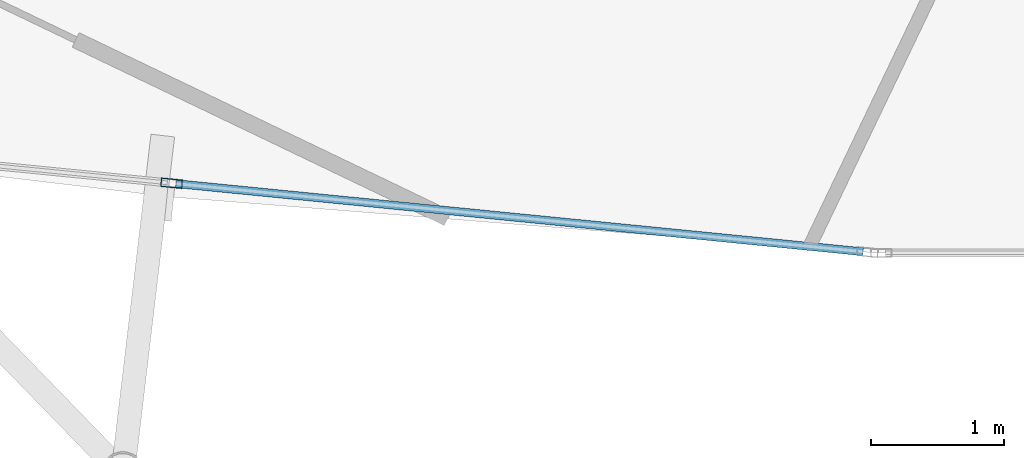
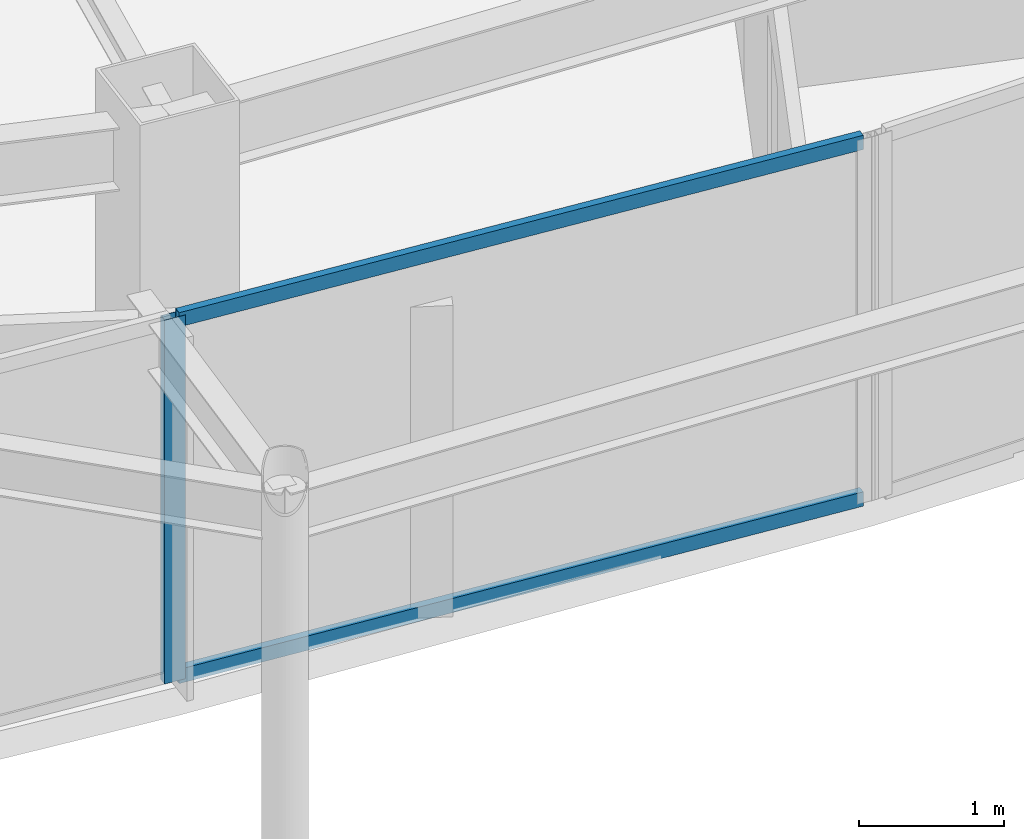
# One storey, part 4 of 33: 3 members, 1 element without a shape of its own.
"""IFC4 building model written with IfcOpenShell, lengths in metres."""

from ifc_helpers import new_model, si_unit, direction, frame, origin, origin_2d, place, context, subcontext, project, spatial, hollow_rectangle, extrude, material, layer, layer_set, material_profile, profile_set, type_object, element, aggregate, save


model = new_model("IFC4")

# Units and contexts
model_context = context("Model", 3, precision=1e-05, world=origin(), true_north=direction((0.0, 1.0)))
body_context = subcontext(model_context, "Body", "Model", "MODEL_VIEW")
ifc_project = project(units=[si_unit("LENGTHUNIT", "METRE"), si_unit("AREAUNIT", "SQUARE_METRE"), si_unit("VOLUMEUNIT", "CUBIC_METRE"), si_unit("PLANEANGLEUNIT", "RADIAN"), si_unit("MASSUNIT", "GRAM", prefix="KILO")], contexts=[model_context])

# Site, building, storey
site_placement = place(None, origin())
site = spatial("IfcSite", under=ifc_project, at=site_placement, CompositionType="ELEMENT")
building_placement = place(site_placement, origin())
building = spatial("IfcBuilding", under=site, at=building_placement, Name="Orvanel Arch Residences", CompositionType="ELEMENT")
storey_placement = place(building_placement, frame((0.0, 0.0, 206.300048828125)))
storey = spatial("IfcBuildingStorey", under=building, at=storey_placement, Name="L58", CompositionType="ELEMENT", Elevation=206.300048828125)

# Curtain wall, members
ifc_material = material(Name="Bronze-anodised aluminium AA6063-T6", Category="aluminium")
ifc_layer = layer(ifc_material, 0.175048828125)
ifc_layer_set = layer_set([ifc_layer], Name="Bronze-anodised aluminium AA6063-T6")
curtain_wall_type = type_object("IfcCurtainWallType", Name="CW4-HI-SYS", PredefinedType="NOTDEFINED", material=ifc_layer_set)
curtain_wall_placement = place(storey_placement, origin())
curtain_wall = element("IfcCurtainWall", 1, at=curtain_wall_placement, inside=storey, type_object=curtain_wall_type, Name="L58 CW4-HI-SYS Unitised Curtain Wall", PredefinedType="NOTDEFINED")
ifc_material_profile_1 = material_profile(ifc_material, hollow_rectangle(XDim=0.06494140625, YDim=0.159912109375, WallThickness=0.00390625, at=origin_2d()), Name="ALU160x65x4")
ifc_profile_set_1 = profile_set([ifc_material_profile_1], Name="Bronze-anodised aluminium AA6063-T6")
member_type_1 = type_object("IfcMemberType", Name="MUL-160x65", PredefinedType="MULLION", material=ifc_profile_set_1)
member_1_placement = place(storey_placement, frame((22.466064453125, 5.22900390625, 0.0), z_axis=(0.0, 0.0, 1.0), x_axis=(0.098621122229, 0.995125054579, 0.0)))
member_1 = element("IfcMember", 2, at=member_1_placement, type_object=member_type_1, Name="CW-S4 mullion 2", PredefinedType="MULLION", context=body_context, shape_type="SweptSolid", body=[
    extrude(hollow_rectangle(XDim=0.06494140625, YDim=0.159912109375, WallThickness=0.00390625, at=origin_2d()), origin(), (0.0, 0.0, 1.0), 3.06005859375),
])
ifc_material_profile_2 = material_profile(ifc_material, hollow_rectangle(XDim=0.06005859375, YDim=0.1201171875, WallThickness=0.00341796875, at=origin_2d()), Name="ALU120x60x3.5")
ifc_profile_set_2 = profile_set([ifc_material_profile_2], Name="Bronze-anodised aluminium AA6063-T6")
member_type_2 = type_object("IfcMemberType", Name="TRN-120x60", PredefinedType="USERDEFINED", material=ifc_profile_set_2)
member_2_placement = place(storey_placement, frame((22.498291015625, 5.225830078125, 0.030029296875), z_axis=(0.995123221795, -0.098639613974, 0.0), x_axis=(0.098639613974, 0.995123221795, 0.0)))
member_2 = element("IfcMember", 3, at=member_2_placement, type_object=member_type_2, Name="CW-S4 transom 2.1", ObjectType="TRANSOM", PredefinedType="USERDEFINED", context=body_context, shape_type="SweptSolid", body=[
    extrude(hollow_rectangle(XDim=0.06005859375, YDim=0.1201171875, WallThickness=0.00341796875, at=origin_2d()), origin(), (0.0, 0.0, 1.0), 5.17529296875),
])
member_3_placement = place(storey_placement, frame((22.498291015625, 5.225830078125, 3.030029296875), z_axis=(0.995123221795, -0.098639613974, 0.0), x_axis=(0.098639613974, 0.995123221795, 0.0)))
member_3 = element("IfcMember", 4, at=member_3_placement, type_object=member_type_2, Name="CW-S4 transom 2.2", ObjectType="TRANSOM", PredefinedType="USERDEFINED", context=body_context, shape_type="SweptSolid", body=[
    extrude(hollow_rectangle(XDim=0.06005859375, YDim=0.1201171875, WallThickness=0.00341796875, at=origin_2d()), origin(), (0.0, 0.0, 1.0), 5.17529296875),
])
aggregate(curtain_wall, [member_1, member_2, member_3])

save(model, "model.ifc")
